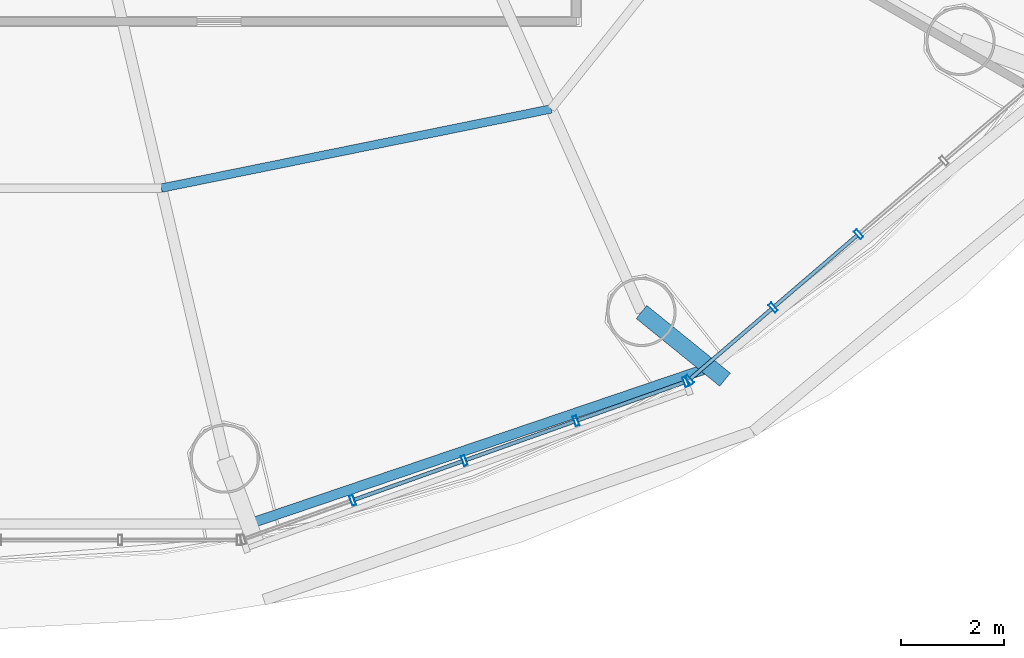
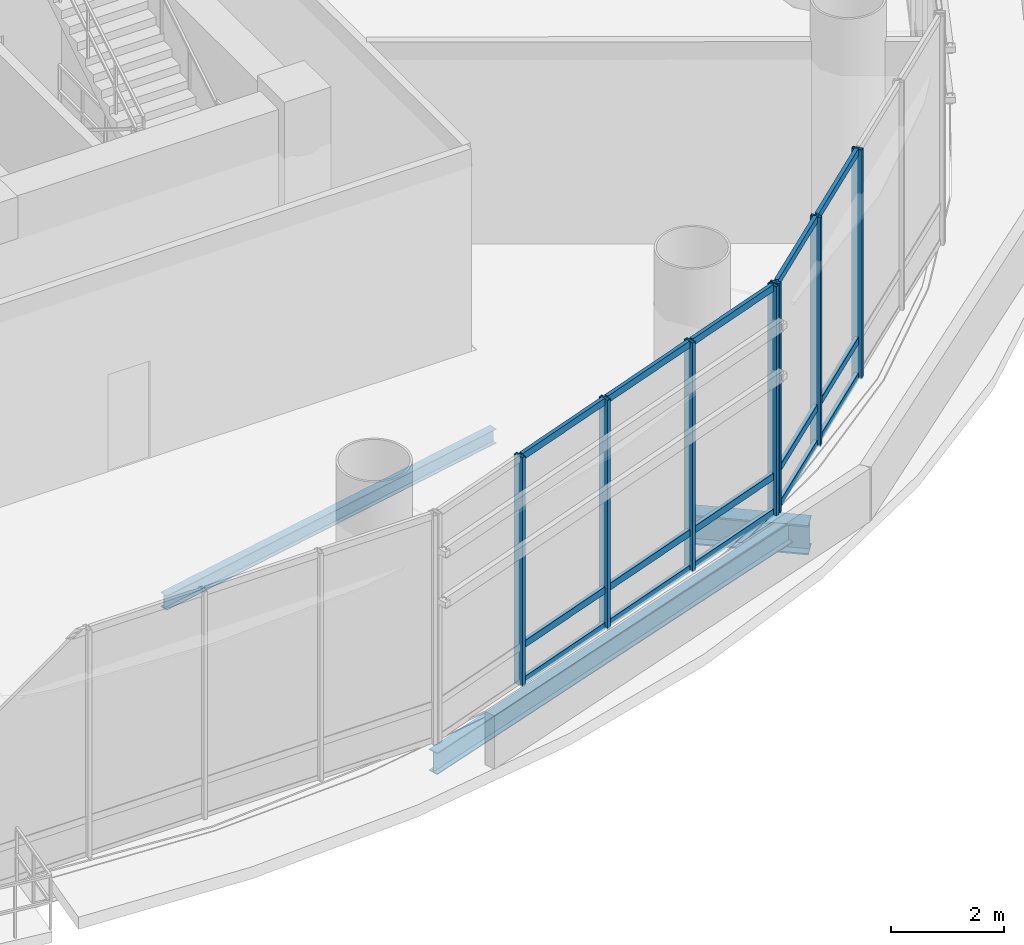
# One storey, part 9 of 29: 22 members, 3 beams, 2 elements without a shape of their own.
"""IFC4 building model written with IfcOpenShell, lengths in metres."""

from ifc_helpers import new_model, si_unit, direction, frame, origin, origin_2d, place, context, subcontext, project, spatial, hollow_rectangle, i_section, extrude, source, transform, mapped, material, material_profile, profile_set, type_object, element, aggregate, save


model = new_model("IFC4")

# Units and contexts
model_context = context("Model", 3, precision=1e-05, world=origin(), true_north=direction((-0.2419218956, 0.970295726276)))
body_context = subcontext(model_context, "Body", "Model", "MODEL_VIEW")
ifc_project = project(units=[si_unit("LENGTHUNIT", "METRE"), si_unit("AREAUNIT", "SQUARE_METRE"), si_unit("VOLUMEUNIT", "CUBIC_METRE"), si_unit("PLANEANGLEUNIT", "RADIAN"), si_unit("MASSUNIT", "GRAM", prefix="KILO")], contexts=[model_context])

# Site, building, storey
site_placement = place(None, origin())
site = spatial("IfcSite", under=ifc_project, at=site_placement, CompositionType="ELEMENT")
building_placement = place(site_placement, origin())
building = spatial("IfcBuilding", under=site, at=building_placement, Name="Cobrevalo Terracotta Tower", CompositionType="ELEMENT")
storey_placement = place(building_placement, frame((0.0, 0.0, 130.199951171875)))
storey = spatial("IfcBuildingStorey", under=building, at=storey_placement, Name="L34", CompositionType="ELEMENT", Elevation=130.199951171875)

# Beams
ifc_material_1 = material(Name="Steel S355", Category="steel")
ifc_material_profile_1 = material_profile(ifc_material_1, i_section(OverallWidth=0.3291015625, OverallDepth=0.635009765625, WebThickness=0.017822265625, FlangeThickness=0.031005859375, at=origin_2d()), Name="W 610x241")
ifc_profile_set_1 = profile_set([ifc_material_profile_1], Name="Steel S355")
beam_type_1 = type_object("IfcBeamType", Name="Structural Beam W 610x241 (Steel S355)", PredefinedType="BEAM", material=ifc_profile_set_1)
beam_1_placement = place(storey_placement, frame((52.15673828125, 9.55712890625, -0.767333984375), z_axis=(-0.776808092636, 0.629737395439, 0.0), x_axis=(-0.629737395439, -0.776808092636, 0.0)))
element("IfcBeam", 1, at=beam_1_placement, inside=storey, type_object=beam_type_1, Name="L34 setback step-link girder 14", PredefinedType="BEAM", context=body_context, shape_type="SweptSolid", body=[
    extrude(i_section(OverallWidth=0.3291015625, OverallDepth=0.635009765625, WebThickness=0.017822265625, FlangeThickness=0.031005859375, at=origin_2d()), origin(), (0.0, 0.0, 1.0), 2.0966796875),
])
ifc_material_profile_2 = material_profile(ifc_material_1, i_section(OverallWidth=0.1650390625, OverallDepth=0.31005859375, WebThickness=0.005859375, FlangeThickness=0.009765625, at=origin_2d()), Name="W 310x38.7")
ifc_profile_set_2 = profile_set([ifc_material_profile_2], Name="Steel S355")
beam_type_2 = type_object("IfcBeamType", Name="Structural Joist W 310x38.7 (Steel S355)", PredefinedType="JOIST", material=ifc_profile_set_2)
beam_2_placement = place(storey_placement, frame((41.16357421875, 13.2939453125, -0.60498046875), z_axis=(0.979966973827, 0.199160061782, 0.0), x_axis=(-0.199160061782, 0.979966973827, 0.0)))
element("IfcBeam", 2, at=beam_2_placement, inside=storey, type_object=beam_type_2, Name="L34 circumferential secondary floor joist 13", PredefinedType="JOIST", context=body_context, shape_type="SweptSolid", body=[
    extrude(i_section(OverallWidth=0.1650390625, OverallDepth=0.31005859375, WebThickness=0.005859375, FlangeThickness=0.009765625, at=origin_2d()), origin(), (0.0, 0.0, 1.0), 7.755859375),
])
ifc_material_profile_3 = material_profile(ifc_material_1, i_section(OverallWidth=0.194091796875, OverallDepth=0.468994140625, WebThickness=0.011474609375, FlangeThickness=0.0205078125, at=origin_2d()), Name="W 460x106")
ifc_profile_set_3 = profile_set([ifc_material_profile_3], Name="Steel S355")
beam_type_3 = type_object("IfcBeamType", Name="Structural Spandrel W 460x106 (Steel S355)", PredefinedType="SPANDREL", material=ifc_profile_set_3)
beam_3_placement = place(storey_placement, frame((42.867431640625, 6.742919921875, -0.6845703125), z_axis=(0.94691835344, 0.321474154356, 0.0), x_axis=(-0.321474154356, 0.94691835344, 0.0)))
element("IfcBeam", 3, at=beam_3_placement, inside=storey, type_object=beam_type_3, Name="L34 perimeter ring spandrel 13", PredefinedType="SPANDREL", context=body_context, shape_type="SweptSolid", body=[
    extrude(i_section(OverallWidth=0.194091796875, OverallDepth=0.468994140625, WebThickness=0.011474609375, FlangeThickness=0.0205078125, at=origin_2d()), origin(), (0.0, 0.0, 1.0), 9.498291015625),
])

# Curtain wall, members
ifc_material_2 = material(Name="Anodized aluminium", Category="aluminium")
curtain_wall_type = type_object("IfcCurtainWallType", Name="Double-height sky-lobby panoramic curtain wall CW-SK", PredefinedType="NOTDEFINED", material=ifc_material_2)
curtain_wall_1_placement = place(storey_placement, origin())
curtain_wall_1 = element("IfcCurtainWall", 4, at=curtain_wall_1_placement, inside=storey, type_object=curtain_wall_type, Name="L34 curtain wall CW-SK-L34-S13", PredefinedType="NOTDEFINED")
ifc_material_profile_4 = material_profile(ifc_material_2, hollow_rectangle(XDim=0.074951171875, YDim=0.199951171875, WallThickness=0.0048828125, at=origin_2d()), Name="CWM 75x200")
ifc_profile_set_4 = profile_set([ifc_material_profile_4], Name="Anodized aluminium")
member_type_1 = type_object("IfcMemberType", Name="Lower/mid tower unitised mullion 75x200", PredefinedType="MULLION", material=ifc_profile_set_4)
shared_shape_1 = source(origin(), body_context, "Body", "SweptSolid", [
    extrude(hollow_rectangle(XDim=0.074951171875, YDim=0.199951171875, WallThickness=0.0048828125, at=origin_2d()), origin(), (0.0, 0.0, 1.0), 4.929931640625),
])
member_1_placement = place(storey_placement, frame((44.8935546875, 7.204345703125, 0.0), z_axis=(0.0, 0.0, 1.0), x_axis=(0.942098428897, 0.335336473217, 0.0)))
member_1 = element("IfcMember", 5, at=member_1_placement, type_object=member_type_1, Name="CW-SK-L34-S13 vertical mullion 02", PredefinedType="MULLION", context=body_context, shape_type="MappedRepresentation", body=[
    mapped(shared_shape_1, transform((0.0, 0.0, 0.0), scale=1.0)),
])
member_2_placement = place(storey_placement, frame((47.07177734375, 7.979736328125, 0.0), z_axis=(0.0, 0.0, 1.0), x_axis=(0.942098428897, 0.335336473217, 0.0)))
member_2 = element("IfcMember", 6, at=member_2_placement, type_object=member_type_1, Name="CW-SK-L34-S13 vertical mullion 03", PredefinedType="MULLION", context=body_context, shape_type="MappedRepresentation", body=[
    mapped(shared_shape_1, transform((0.0, 0.0, 0.0), scale=1.0)),
])
member_3_placement = place(storey_placement, frame((49.25, 8.755126953125, 0.0), z_axis=(0.0, 0.0, 1.0), x_axis=(0.942098428897, 0.335336473217, 0.0)))
member_3 = element("IfcMember", 7, at=member_3_placement, type_object=member_type_1, Name="CW-SK-L34-S13 vertical mullion 04", PredefinedType="MULLION", context=body_context, shape_type="MappedRepresentation", body=[
    mapped(shared_shape_1, transform((0.0, 0.0, 0.0), scale=1.0)),
])
member_4_placement = place(storey_placement, frame((51.390380859375, 9.516845703125, 0.0), z_axis=(0.0, 0.0, 1.0), x_axis=(0.942098428897, 0.335336473217, 0.0)))
member_4 = element("IfcMember", 8, at=member_4_placement, type_object=member_type_1, Name="CW-SK-L34-S13 vertical mullion 05", PredefinedType="MULLION", context=body_context, shape_type="MappedRepresentation", body=[
    mapped(shared_shape_1, transform((0.0, 0.0, 0.0), scale=1.0)),
])

curtain_wall_2_placement = place(storey_placement, origin())
curtain_wall_2 = element("IfcCurtainWall", 9, at=curtain_wall_2_placement, inside=storey, type_object=curtain_wall_type, Name="L34 curtain wall CW-SK-L34-S14", PredefinedType="NOTDEFINED")
member_5_placement = place(storey_placement, frame((51.45849609375, 9.556396484375, 0.0), z_axis=(0.0, 0.0, 1.0), x_axis=(0.758441546142, 0.65174106905, 0.0)))
member_5 = element("IfcMember", 10, at=member_5_placement, type_object=member_type_1, Name="CW-SK-L34-S14 vertical mullion 01", PredefinedType="MULLION", context=body_context, shape_type="MappedRepresentation", body=[
    mapped(shared_shape_1, transform((0.0, 0.0, 0.0), scale=1.0)),
])
member_6_placement = place(storey_placement, frame((53.09521484375, 10.962890625, 0.0), z_axis=(0.0, 0.0, 1.0), x_axis=(0.758441546142, 0.65174106905, 0.0)))
member_6 = element("IfcMember", 11, at=member_6_placement, type_object=member_type_1, Name="CW-SK-L34-S14 vertical mullion 02", PredefinedType="MULLION", context=body_context, shape_type="MappedRepresentation", body=[
    mapped(shared_shape_1, transform((0.0, 0.0, 0.0), scale=1.0)),
])
member_7_placement = place(storey_placement, frame((54.762451171875, 12.3955078125, 0.0), z_axis=(0.0, 0.0, 1.0), x_axis=(0.758441546142, 0.65174106905, 0.0)))
member_7 = element("IfcMember", 12, at=member_7_placement, type_object=member_type_1, Name="CW-SK-L34-S14 vertical mullion 03", PredefinedType="MULLION", context=body_context, shape_type="MappedRepresentation", body=[
    mapped(shared_shape_1, transform((0.0, 0.0, 0.0), scale=1.0)),
])
ifc_material_profile_5 = material_profile(ifc_material_2, hollow_rectangle(XDim=0.074951171875, YDim=0.14990234375, WallThickness=0.00439453125, at=origin_2d()), Name="CWT 75x150")
ifc_profile_set_5 = profile_set([ifc_material_profile_5], Name="Anodized aluminium")
member_type_2 = type_object("IfcMemberType", Name="Tower unitised aluminium transom 75x150", PredefinedType="USERDEFINED", material=ifc_profile_set_5)
shared_shape_2 = source(origin(), body_context, "Body", "SweptSolid", [
    extrude(hollow_rectangle(XDim=0.074951171875, YDim=0.14990234375, WallThickness=0.00439453125, at=origin_2d()), origin(), (0.0, 0.0, 1.0), 2.078125),
])
member_8_placement = place(storey_placement, frame((51.48876953125, 9.58251953125, 0.050048828125), z_axis=(0.758426741801, 0.651758296703, 0.0), x_axis=(-0.651758296703, 0.758426741801, 0.0)))
member_8 = element("IfcMember", 13, at=member_8_placement, type_object=member_type_2, Name="CW-SK-L34-S14 transom B01-T1", ObjectType="TRANSOM", PredefinedType="USERDEFINED", context=body_context, shape_type="MappedRepresentation", body=[
    mapped(shared_shape_2, transform((0.0, 0.0, 0.0), scale=1.0)),
])
member_9_placement = place(storey_placement, frame((51.48876953125, 9.58251953125, 0.820068359375), z_axis=(0.758426741801, 0.651758296703, 0.0), x_axis=(-0.651758296703, 0.758426741801, 0.0)))
member_9 = element("IfcMember", 14, at=member_9_placement, type_object=member_type_2, Name="CW-SK-L34-S14 transom B01-T2", ObjectType="TRANSOM", PredefinedType="USERDEFINED", context=body_context, shape_type="MappedRepresentation", body=[
    mapped(shared_shape_2, transform((0.0, 0.0, 0.0), scale=1.0)),
])
member_10_placement = place(storey_placement, frame((51.48876953125, 9.58251953125, 4.880126953125), z_axis=(0.758426741801, 0.651758296703, 0.0), x_axis=(-0.651758296703, 0.758426741801, 0.0)))
member_10 = element("IfcMember", 15, at=member_10_placement, type_object=member_type_2, Name="CW-SK-L34-S14 transom B01-T3", ObjectType="TRANSOM", PredefinedType="USERDEFINED", context=body_context, shape_type="MappedRepresentation", body=[
    mapped(shared_shape_2, transform((0.0, 0.0, 0.0), scale=1.0)),
])

# Member
shared_shape_3 = source(origin(), body_context, "Body", "SweptSolid", [
    extrude(hollow_rectangle(XDim=0.074951171875, YDim=0.14990234375, WallThickness=0.00439453125, at=origin_2d()), origin(), (0.0, 0.0, 1.0), 2.192138671875),
])
member_11_placement = place(storey_placement, frame((49.28759765625, 8.7685546875, 0.050048828125), z_axis=(0.942096668248, 0.335341419564, 0.0), x_axis=(-0.335341419564, 0.942096668248, 0.0)))
member_11 = element("IfcMember", 16, at=member_11_placement, type_object=member_type_2, Name="CW-SK-L34-S13 transom B04-T1", ObjectType="TRANSOM", PredefinedType="USERDEFINED", context=body_context, shape_type="MappedRepresentation", body=[
    mapped(shared_shape_3, transform((0.0, 0.0, 0.0), scale=1.0)),
])

member_12_placement = place(storey_placement, frame((49.28759765625, 8.7685546875, 0.820068359375), z_axis=(0.942096668248, 0.335341419564, 0.0), x_axis=(-0.335341419564, 0.942096668248, 0.0)))
member_12 = element("IfcMember", 17, at=member_12_placement, type_object=member_type_2, Name="CW-SK-L34-S13 transom B04-T2", ObjectType="TRANSOM", PredefinedType="USERDEFINED", context=body_context, shape_type="MappedRepresentation", body=[
    mapped(shared_shape_3, transform((0.0, 0.0, 0.0), scale=1.0)),
])

member_13_placement = place(storey_placement, frame((49.28759765625, 8.7685546875, 4.880126953125), z_axis=(0.942096668248, 0.335341419564, 0.0), x_axis=(-0.335341419564, 0.942096668248, 0.0)))
member_13 = element("IfcMember", 18, at=member_13_placement, type_object=member_type_2, Name="CW-SK-L34-S13 transom B04-T3", ObjectType="TRANSOM", PredefinedType="USERDEFINED", context=body_context, shape_type="MappedRepresentation", body=[
    mapped(shared_shape_3, transform((0.0, 0.0, 0.0), scale=1.0)),
])

shared_shape_4 = source(origin(), body_context, "Body", "SweptSolid", [
    extrude(hollow_rectangle(XDim=0.074951171875, YDim=0.14990234375, WallThickness=0.00439453125, at=origin_2d()), origin(), (0.0, 0.0, 1.0), 2.23193359375),
])
member_14_placement = place(storey_placement, frame((44.93115234375, 7.2177734375, 0.050048828125), z_axis=(0.942090332104, 0.335359219579, 0.0), x_axis=(-0.335359219579, 0.942090332104, 0.0)))
member_14 = element("IfcMember", 19, at=member_14_placement, type_object=member_type_2, Name="CW-SK-L34-S13 transom B02-T1", ObjectType="TRANSOM", PredefinedType="USERDEFINED", context=body_context, shape_type="MappedRepresentation", body=[
    mapped(shared_shape_4, transform((0.0, 0.0, 0.0), scale=1.0)),
])

member_15_placement = place(storey_placement, frame((44.93115234375, 7.2177734375, 0.820068359375), z_axis=(0.942090332104, 0.335359219579, 0.0), x_axis=(-0.335359219579, 0.942090332104, 0.0)))
member_15 = element("IfcMember", 20, at=member_15_placement, type_object=member_type_2, Name="CW-SK-L34-S13 transom B02-T2", ObjectType="TRANSOM", PredefinedType="USERDEFINED", context=body_context, shape_type="MappedRepresentation", body=[
    mapped(shared_shape_4, transform((0.0, 0.0, 0.0), scale=1.0)),
])

member_16_placement = place(storey_placement, frame((44.93115234375, 7.2177734375, 4.880126953125), z_axis=(0.942090332104, 0.335359219579, 0.0), x_axis=(-0.335359219579, 0.942090332104, 0.0)))
member_16 = element("IfcMember", 21, at=member_16_placement, type_object=member_type_2, Name="CW-SK-L34-S13 transom B02-T3", ObjectType="TRANSOM", PredefinedType="USERDEFINED", context=body_context, shape_type="MappedRepresentation", body=[
    mapped(shared_shape_4, transform((0.0, 0.0, 0.0), scale=1.0)),
])

member_17_placement = place(storey_placement, frame((47.109375, 7.9931640625, 0.050048828125), z_axis=(0.942090332104, 0.335359219579, 0.0), x_axis=(-0.335359219579, 0.942090332104, 0.0)))
member_17 = element("IfcMember", 22, at=member_17_placement, type_object=member_type_2, Name="CW-SK-L34-S13 transom B03-T1", ObjectType="TRANSOM", PredefinedType="USERDEFINED", context=body_context, shape_type="MappedRepresentation", body=[
    mapped(shared_shape_4, transform((0.0, 0.0, 0.0), scale=1.0)),
])

member_18_placement = place(storey_placement, frame((47.109375, 7.9931640625, 0.820068359375), z_axis=(0.942090332104, 0.335359219579, 0.0), x_axis=(-0.335359219579, 0.942090332104, 0.0)))
member_18 = element("IfcMember", 23, at=member_18_placement, type_object=member_type_2, Name="CW-SK-L34-S13 transom B03-T2", ObjectType="TRANSOM", PredefinedType="USERDEFINED", context=body_context, shape_type="MappedRepresentation", body=[
    mapped(shared_shape_4, transform((0.0, 0.0, 0.0), scale=1.0)),
])

member_19_placement = place(storey_placement, frame((47.109375, 7.9931640625, 4.880126953125), z_axis=(0.942090332104, 0.335359219579, 0.0), x_axis=(-0.335359219579, 0.942090332104, 0.0)))
member_19 = element("IfcMember", 24, at=member_19_placement, type_object=member_type_2, Name="CW-SK-L34-S13 transom B03-T3", ObjectType="TRANSOM", PredefinedType="USERDEFINED", context=body_context, shape_type="MappedRepresentation", body=[
    mapped(shared_shape_4, transform((0.0, 0.0, 0.0), scale=1.0)),
])

aggregate(curtain_wall_1, [member_1, member_2, member_3, member_4, member_14, member_15, member_16, member_17, member_18, member_19, member_11, member_12, member_13])

shared_shape_5 = source(origin(), body_context, "Body", "SweptSolid", [
    extrude(hollow_rectangle(XDim=0.074951171875, YDim=0.14990234375, WallThickness=0.00439453125, at=origin_2d()), origin(), (0.0, 0.0, 1.0), 2.1181640625),
])
member_20_placement = place(storey_placement, frame((53.12548828125, 10.989013671875, 0.050048828125), z_axis=(0.758401678508, 0.651787460785, 0.0), x_axis=(-0.651787460785, 0.758401678508, 0.0)))
member_20 = element("IfcMember", 25, at=member_20_placement, type_object=member_type_2, Name="CW-SK-L34-S14 transom B02-T1", ObjectType="TRANSOM", PredefinedType="USERDEFINED", context=body_context, shape_type="MappedRepresentation", body=[
    mapped(shared_shape_5, transform((0.0, 0.0, 0.0), scale=1.0)),
])

member_21_placement = place(storey_placement, frame((53.12548828125, 10.989013671875, 0.820068359375), z_axis=(0.758401678508, 0.651787460785, 0.0), x_axis=(-0.651787460785, 0.758401678508, 0.0)))
member_21 = element("IfcMember", 26, at=member_21_placement, type_object=member_type_2, Name="CW-SK-L34-S14 transom B02-T2", ObjectType="TRANSOM", PredefinedType="USERDEFINED", context=body_context, shape_type="MappedRepresentation", body=[
    mapped(shared_shape_5, transform((0.0, 0.0, 0.0), scale=1.0)),
])

member_22_placement = place(storey_placement, frame((53.12548828125, 10.989013671875, 4.880126953125), z_axis=(0.758401678508, 0.651787460785, 0.0), x_axis=(-0.651787460785, 0.758401678508, 0.0)))
member_22 = element("IfcMember", 27, at=member_22_placement, type_object=member_type_2, Name="CW-SK-L34-S14 transom B02-T3", ObjectType="TRANSOM", PredefinedType="USERDEFINED", context=body_context, shape_type="MappedRepresentation", body=[
    mapped(shared_shape_5, transform((0.0, 0.0, 0.0), scale=1.0)),
])

aggregate(curtain_wall_2, [member_5, member_6, member_7, member_8, member_9, member_10, member_20, member_21, member_22])

save(model, "model.ifc")
